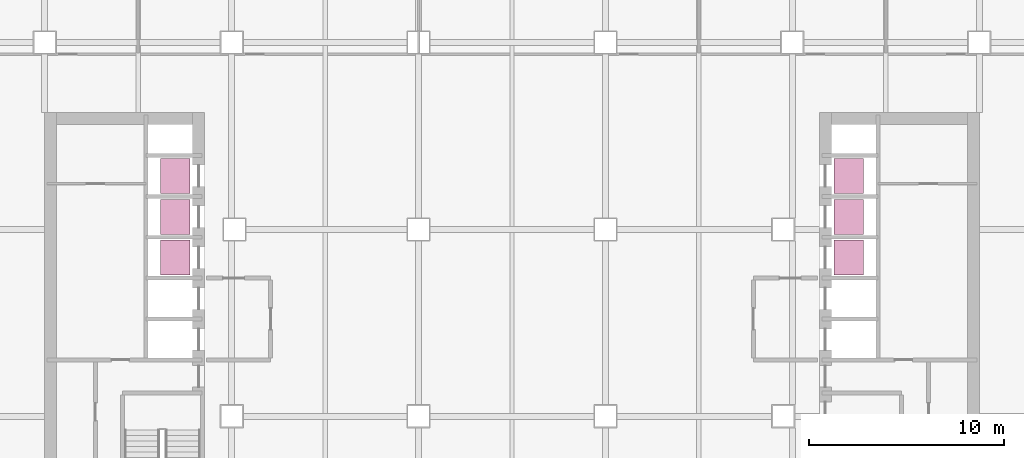
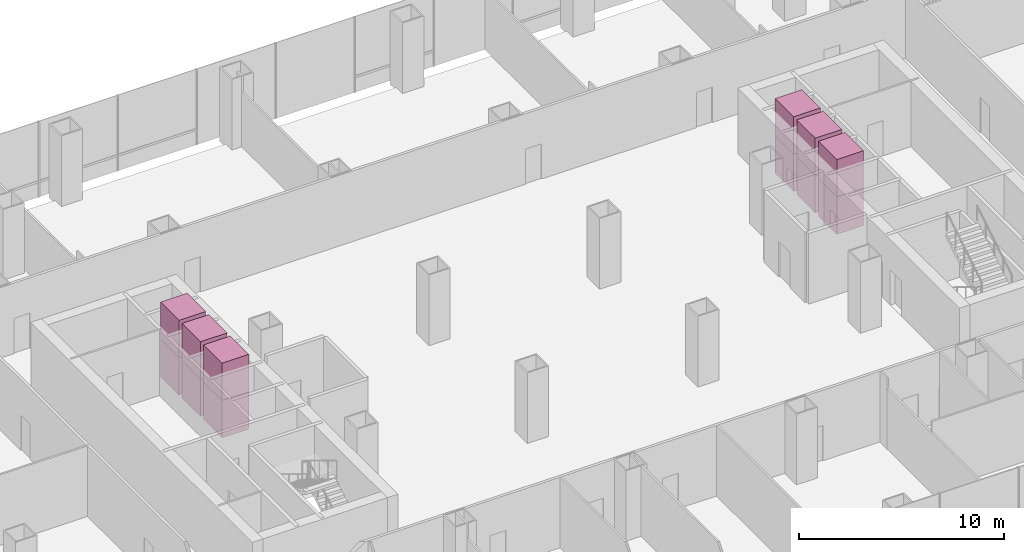
# One storey, part 23 of 23: 12 transport elements.
"""IFC4 building model written with IfcOpenShell, lengths in metres."""

from ifc_helpers import new_model, si_unit, direction, frame, origin, origin_2d, place, context, subcontext, project, spatial, rectangle, extrude, material, type_object, element, save


model = new_model("IFC4")

# Units and contexts
model_context = context("Model", 3, precision=1e-05, world=origin(), true_north=direction((0.0, 1.0)))
body_context = subcontext(model_context, "Body", "Model", "MODEL_VIEW")
ifc_project = project(units=[si_unit("LENGTHUNIT", "METRE"), si_unit("AREAUNIT", "SQUARE_METRE"), si_unit("VOLUMEUNIT", "CUBIC_METRE"), si_unit("PLANEANGLEUNIT", "RADIAN"), si_unit("MASSUNIT", "GRAM", prefix="KILO")], contexts=[model_context])

# Site, building, storey
site_placement = place(None, origin())
site = spatial("IfcSite", under=ifc_project, at=site_placement, CompositionType="ELEMENT")
building_placement = place(site_placement, origin())
building = spatial("IfcBuilding", under=site, at=building_placement, Name="Cobrizo Arcos Hotel Tower", CompositionType="ELEMENT")
storey_placement = place(building_placement, frame((0.0, 0.0, 29.0)))
storey = spatial("IfcBuildingStorey", under=building, at=storey_placement, Name="L05", CompositionType="ELEMENT", Elevation=29.0)

# Transport elements
ifc_material = material(Name="Stainless steel car", Category="steel")
transport_element_type = type_object("IfcTransportElementType", Name="Lift car Low 1.8x1.5", PredefinedType="ELEVATOR", material=ifc_material)
for number, where, z_axis, x_axis, name in (
    (1, (-17.300048828125, 3.35009765625, 0.0), (0.0, 0.0, 1.0), (1.0, 0.0, 0.0), "Low-rise passenger lift W1"),
    (2, (-17.300048828125, 3.35009765625, 2.224853515625), (0.0, 0.0, 1.0), (1.0, 0.0, 0.0), "Low-rise passenger lift W1"),
    (3, (-17.300048828125, 5.449951171875, 0.0), (0.0, 0.0, 1.0), (1.0, 0.0, 0.0), "Low-rise passenger lift W2"),
    (4, (-17.300048828125, 5.449951171875, 2.224853515625), (0.0, 0.0, 1.0), (1.0, 0.0, 0.0), "Low-rise passenger lift W2"),
    (5, (-17.300048828125, 7.550048828125, 0.0), (0.0, 0.0, 1.0), (1.0, 0.0, 0.0), "Low-rise passenger lift W3"),
    (6, (-17.300048828125, 7.550048828125, 2.224853515625), (0.0, 0.0, 1.0), (1.0, 0.0, 0.0), "Low-rise passenger lift W3"),
    (7, (17.300048828125, 3.35009765625, 0.0), (0.0, 0.0, 1.0), (1.0, 0.0, 0.0), "Low-rise passenger lift E1"),
    (8, (17.300048828125, 3.35009765625, 2.224853515625), (0.0, 0.0, 1.0), (1.0, 0.0, 0.0), "Low-rise passenger lift E1"),
    (9, (17.300048828125, 5.449951171875, 0.0), (0.0, 0.0, 1.0), (1.0, 0.0, 0.0), "Low-rise passenger lift E2"),
    (10, (17.300048828125, 5.449951171875, 2.224853515625), (0.0, 0.0, 1.0), (1.0, 0.0, 0.0), "Low-rise passenger lift E2"),
    (11, (17.300048828125, 7.550048828125, 0.0), (0.0, 0.0, 1.0), (1.0, 0.0, 0.0), "Low-rise passenger lift E3"),
    (12, (17.300048828125, 7.550048828125, 2.224853515625), (0.0, 0.0, 1.0), (1.0, 0.0, 0.0), "Low-rise passenger lift E3"),
):
    element("IfcTransportElement", number, at=place(storey_placement, frame(where, z_axis=z_axis, x_axis=x_axis)), inside=storey, type_object=transport_element_type, Name=name, PredefinedType="ELEVATOR", context=body_context, shape_type="SweptSolid", body=[
        extrude(rectangle(XDim=1.5, YDim=1.800048828125, at=origin_2d()), origin(), (0.0, 0.0, 1.0), 2.22509765625),
    ])

save(model, "model.ifc")
